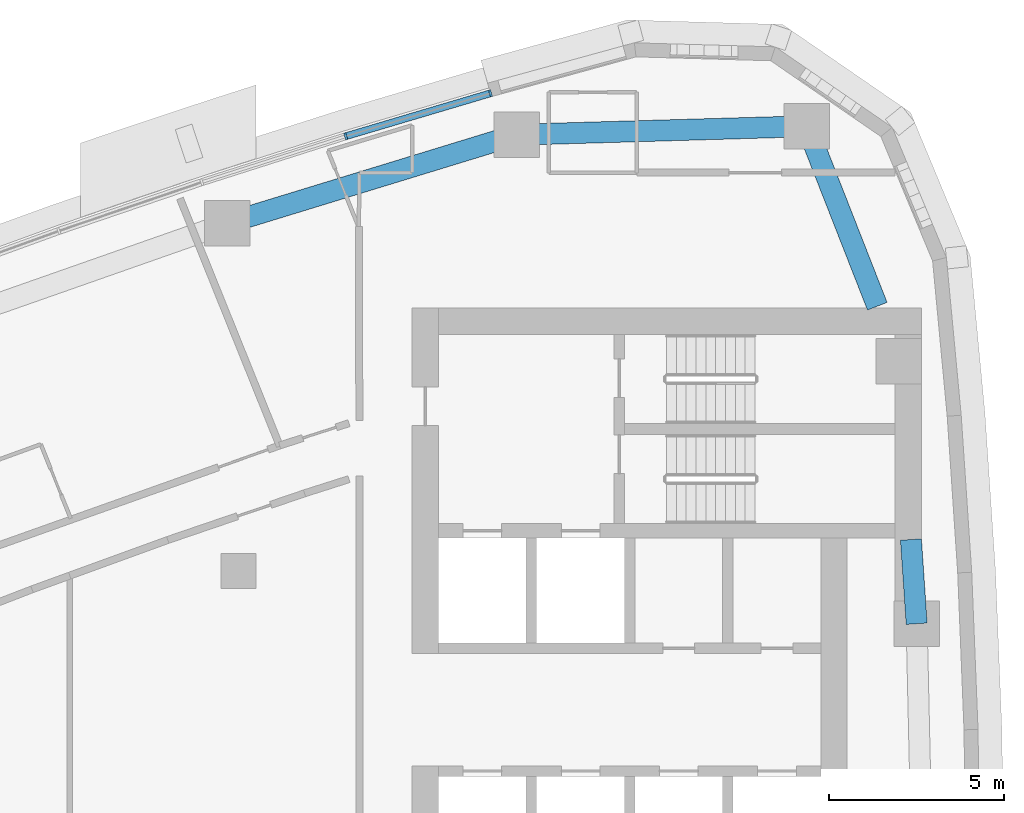
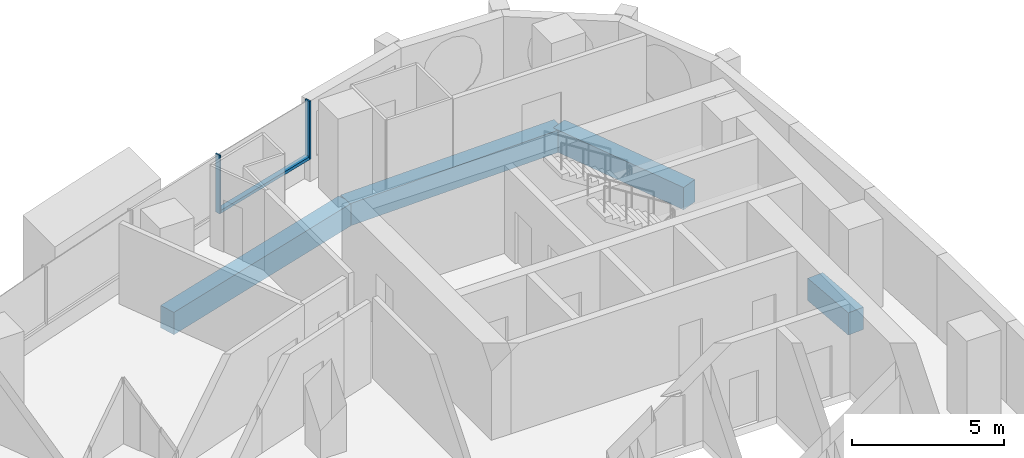
# One storey, part 7 of 17: 4 beams, 3 members, 1 element without a shape of its own.
"""IFC4 building model written with IfcOpenShell, lengths in metres."""

from ifc_helpers import new_model, si_unit, direction, frame, origin, origin_2d, place, context, subcontext, project, spatial, rectangle, extrude, material, layer, layer_set, material_profile, profile_set, type_object, element, aggregate, save


model = new_model("IFC4")

# Units and contexts
model_context = context("Model", 3, precision=1e-05, world=origin(), true_north=direction((0.0, 1.0)))
body_context = subcontext(model_context, "Body", "Model", "MODEL_VIEW")
ifc_project = project(units=[si_unit("LENGTHUNIT", "METRE"), si_unit("AREAUNIT", "SQUARE_METRE"), si_unit("VOLUMEUNIT", "CUBIC_METRE"), si_unit("PLANEANGLEUNIT", "RADIAN"), si_unit("MASSUNIT", "GRAM", prefix="KILO")], contexts=[model_context])

# Site, building, storey
site_placement = place(None, origin())
site = spatial("IfcSite", under=ifc_project, at=site_placement, CompositionType="ELEMENT")
building_placement = place(site_placement, origin())
building = spatial("IfcBuilding", under=site, at=building_placement, Name="Ostrand Prow Hotel Tower", CompositionType="ELEMENT")
storey_placement = place(building_placement, frame((0.0, 0.0, 193.25)))
storey = spatial("IfcBuildingStorey", under=building, at=storey_placement, Name="L48", CompositionType="ELEMENT", Elevation=193.25)

# Beams
ifc_material_1 = material(Name="Concrete C60/75", Category="concrete")
ifc_material_profile_1 = material_profile(ifc_material_1, rectangle(XDim=0.60009765625, YDim=0.89990234375, at=origin_2d()), Name="RC 600x900")
ifc_profile_set_1 = profile_set([ifc_material_profile_1], Name="Concrete C60/75")
beam_type = type_object("IfcBeamType", Name="Edge beam 600x900 C60/75", PredefinedType="SPANDREL", material=ifc_profile_set_1)
beam_1_placement = place(storey_placement, frame((64.330322265625, 7.499267578125, -0.75), z_axis=(-0.067778284608, 0.997700408006, 0.0), x_axis=(-0.997700408006, -0.067778284608, 0.0)))
element("IfcBeam", 1, at=beam_1_placement, inside=storey, type_object=beam_type, Name="Edge beam B4-B5", PredefinedType="SPANDREL", context=body_context, shape_type="SweptSolid", body=[
    extrude(rectangle(XDim=0.60009765625, YDim=0.89990234375, at=origin_2d()), origin(), (0.0, 0.0, 1.0), 2.40625),
])
beam_2_placement = place(storey_placement, frame((63.2080078125, 16.550048828125, -0.75), z_axis=(-0.364802049817, 0.931085100541, 0.0), x_axis=(-0.931085100541, -0.364802049817, 0.0)))
element("IfcBeam", 2, at=beam_2_placement, inside=storey, type_object=beam_type, Name="Edge beam B5-NE", PredefinedType="SPANDREL", context=body_context, shape_type="SweptSolid", body=[
    extrude(rectangle(XDim=0.60009765625, YDim=0.89990234375, at=origin_2d()), origin(), (0.0, 0.0, 1.0), 5.508544921875),
])
beam_3_placement = place(storey_placement, frame((61.198486328125, 21.678955078125, -0.75), z_axis=(-0.999575901438, -0.029120735993, 0.0), x_axis=(0.029120735993, -0.999575901438, 0.0)))
element("IfcBeam", 3, at=beam_3_placement, inside=storey, type_object=beam_type, Name="Edge beam NE-N1", PredefinedType="SPANDREL", context=body_context, shape_type="SweptSolid", body=[
    extrude(rectangle(XDim=0.60009765625, YDim=0.89990234375, at=origin_2d()), origin(), (0.0, 0.0, 1.0), 8.274658203125),
])
beam_4_placement = place(storey_placement, frame((52.92724609375, 21.43798828125, -0.75), z_axis=(-0.956245556413, -0.292565267659, 0.0), x_axis=(0.292565267659, -0.956245556413, 0.0)))
element("IfcBeam", 4, at=beam_4_placement, inside=storey, type_object=beam_type, Name="Edge beam N1-N2", PredefinedType="SPANDREL", context=body_context, shape_type="SweptSolid", body=[
    extrude(rectangle(XDim=0.60009765625, YDim=0.89990234375, at=origin_2d()), origin(), (0.0, 0.0, 1.0), 8.621826171875),
])

# Curtain wall, members
ifc_material_2 = material(Name="Insulated glass in bronze anodised frame", Category="glass")
ifc_layer = layer(ifc_material_2, 0.199951171875)
ifc_layer_set = layer_set([ifc_layer], Name="Insulated glass in bronze anodised frame")
curtain_wall_type = type_object("IfcCurtainWallType", Name="Strip curtain wall, fritted glass over bronze spandrel", PredefinedType="NOTDEFINED", material=ifc_layer_set)
curtain_wall_placement = place(storey_placement, origin())
curtain_wall = element("IfcCurtainWall", 5, at=curtain_wall_placement, inside=storey, type_object=curtain_wall_type, Name="CW1 run CWN1", PredefinedType="NOTDEFINED")
ifc_material_3 = material(Name="Bronze anodised aluminium", Category="aluminium")
ifc_material_profile_2 = material_profile(ifc_material_3, rectangle(XDim=0.199951171875, YDim=0.06005859375, at=origin_2d()), Name="Mullion 60x200 bronze anodised aluminium")
ifc_profile_set_2 = profile_set([ifc_material_profile_2], Name="Bronze anodised aluminium")
member_type_1 = type_object("IfcMemberType", Name="Mullion 60x200 bronze anodised aluminium", PredefinedType="MULLION", material=ifc_profile_set_2)
member_1_placement = place(storey_placement, frame((52.182373046875, 22.619384765625, 0.89990234375), z_axis=(0.0, 0.0, 1.0), x_axis=(0.284544113619, -0.958662947758, 0.0)))
member_1 = element("IfcMember", 6, at=member_1_placement, type_object=member_type_1, Name="CW1 mullion 1", PredefinedType="MULLION", context=body_context, shape_type="SweptSolid", body=[
    extrude(rectangle(XDim=0.199951171875, YDim=0.06005859375, at=origin_2d()), origin(), (0.0, 0.0, 1.0), 2.35009765625),
])
member_2_placement = place(storey_placement, frame((48.055419921875, 21.39453125, 0.89990234375), z_axis=(0.0, 0.0, 1.0), x_axis=(0.303786970008, -0.952739983864, 0.0)))
member_2 = element("IfcMember", 7, at=member_2_placement, type_object=member_type_1, Name="CW1 mullion 2", PredefinedType="MULLION", context=body_context, shape_type="SweptSolid", body=[
    extrude(rectangle(XDim=0.199951171875, YDim=0.06005859375, at=origin_2d()), origin(), (0.0, 0.0, 1.0), 2.35009765625),
])
ifc_material_4 = material(Name="Bronze anodised aluminium", Category="aluminium")
ifc_material_profile_3 = material_profile(ifc_material_4, rectangle(XDim=0.199951171875, YDim=0.1201171875, at=origin_2d()), Name="Transom 120x200 bronze anodised aluminium")
ifc_profile_set_3 = profile_set([ifc_material_profile_3], Name="Bronze anodised aluminium")
member_type_2 = type_object("IfcMemberType", Name="Transom 120x200 bronze anodised aluminium", PredefinedType="USERDEFINED", material=ifc_profile_set_3)
member_3_placement = place(storey_placement, frame((52.15380859375, 22.611083984375, 0.9599609375), z_axis=(-0.958661084062, -0.284550392558, 0.0), x_axis=(0.284550392558, -0.958661084062, 0.0)))
member_3 = element("IfcMember", 8, at=member_3_placement, type_object=member_type_2, Name="CW1 transom 1.1", ObjectType="TRANSOM", PredefinedType="USERDEFINED", context=body_context, shape_type="SweptSolid", body=[
    extrude(rectangle(XDim=0.199951171875, YDim=0.1201171875, at=origin_2d()), origin(), (0.0, 0.0, 1.0), 4.245361328125),
])
aggregate(curtain_wall, [member_1, member_2, member_3])

save(model, "model.ifc")
